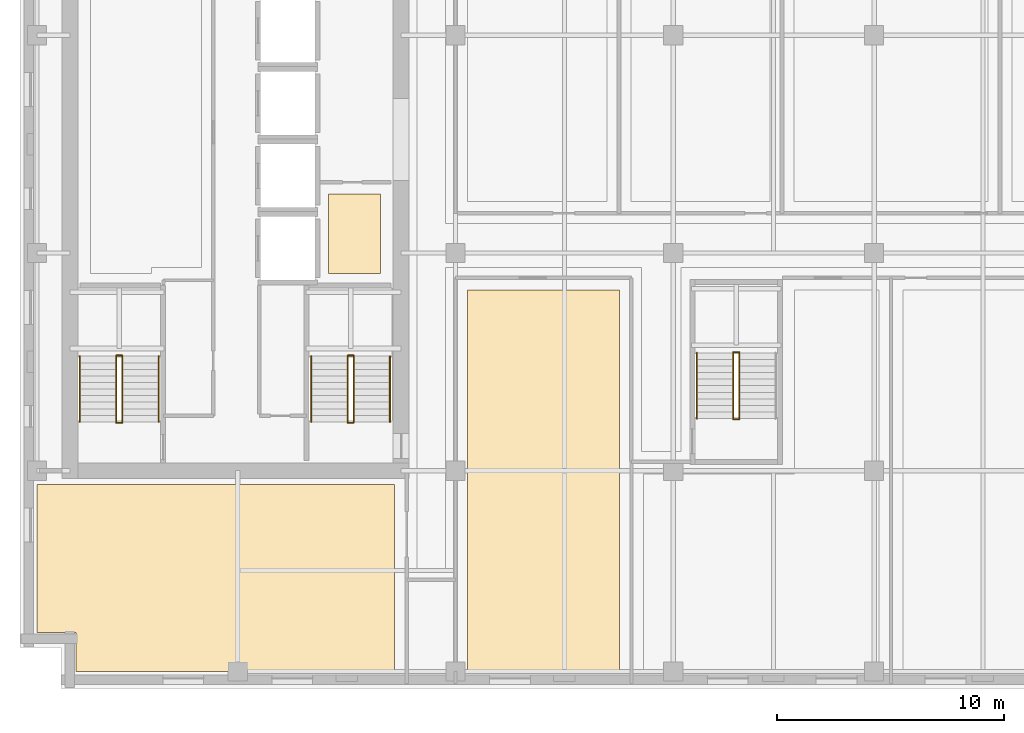
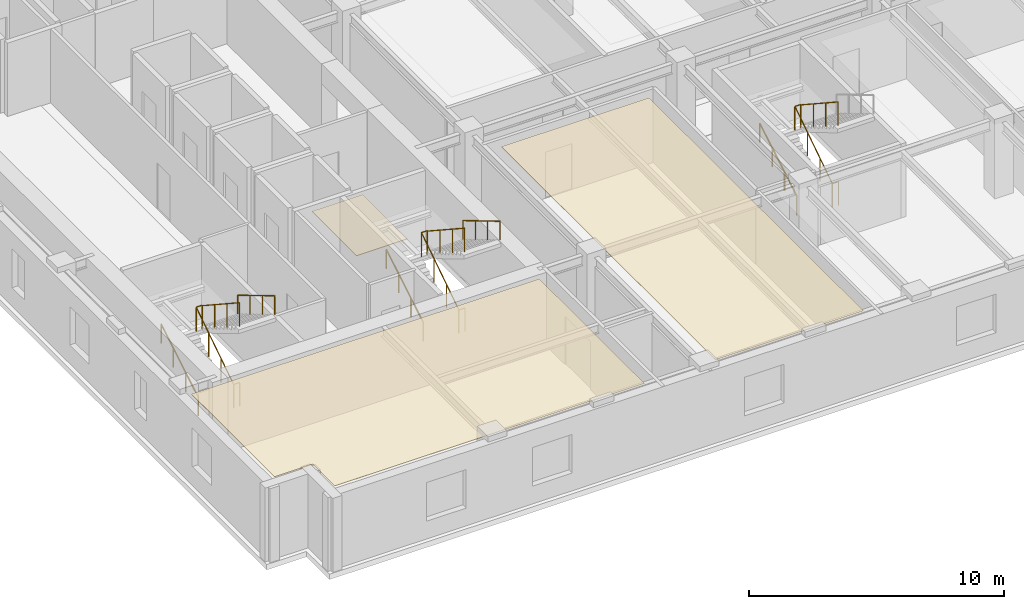
# One storey, part 8 of 11: 17 railings, 3 coverings.
"""IFC4 building model written with IfcOpenShell, lengths in metres."""

from ifc_helpers import new_model, si_unit, direction, frame, origin, origin_2d, place, context, subcontext, project, spatial, polyline, circle, outline, extrude, material, layer, layer_set, type_object, element, save


model = new_model("IFC4")

# Units and contexts
model_context = context("Model", 3, precision=1e-05, world=origin(), true_north=direction((0.0, 1.0)))
body_context = subcontext(model_context, "Body", "Model", "MODEL_VIEW")
ifc_project = project(units=[si_unit("LENGTHUNIT", "METRE"), si_unit("AREAUNIT", "SQUARE_METRE"), si_unit("VOLUMEUNIT", "CUBIC_METRE"), si_unit("PLANEANGLEUNIT", "RADIAN"), si_unit("MASSUNIT", "GRAM", prefix="KILO")], contexts=[model_context])

# Site, building, storey
site_placement = place(None, origin())
site = spatial("IfcSite", under=ifc_project, at=site_placement, CompositionType="ELEMENT")
building_placement = place(site_placement, origin())
building = spatial("IfcBuilding", under=site, at=building_placement, Name="Norrvale University Quadrangle", CompositionType="ELEMENT")
storey_placement = place(building_placement, frame((0.0, 0.0, 202.800048828125)))
storey = spatial("IfcBuildingStorey", under=building, at=storey_placement, Name="L51", CompositionType="ELEMENT", Elevation=202.800048828125)

# Coverings
ifc_material_1 = material(Name="Perforated Acoustic Mineral Ceiling")
ifc_layer_1 = layer(ifc_material_1, 0.02490234375, Name="Perforated Acoustic Mineral Ceiling")
ifc_layer_set_1 = layer_set([ifc_layer_1], Name="Perforated Acoustic Mineral Ceiling")
covering_type_1 = type_object("IfcCoveringType", Name="Covering Acoustic Ceiling 25", PredefinedType="CEILING", material=ifc_layer_set_1)
covering_1_placement = place(storey_placement, frame((0.0, 0.0, 3.514892578125)))
element("IfcCovering", 1, at=covering_1_placement, inside=storey, type_object=covering_type_1, Name="Acoustic Ceiling RM-L51-SW1", PredefinedType="CEILING", context=body_context, shape_type="SweptSolid", body=[
    extrude(outline(polyline([(0.75, 9.0), (16.5, 9.0), (16.5, 0.75), (2.469970703125, 0.75), (2.469970703125, 2.469970703125), (0.75, 2.469970703125), (0.75, 9.0)])), origin(), (0.0, 0.0, 1.0), 0.025146484375),
])
covering_2_placement = place(storey_placement, frame((0.0, 0.0, 3.514892578125)))
element("IfcCovering", 2, at=covering_2_placement, inside=storey, type_object=covering_type_1, Name="Acoustic Ceiling RM-L51-SE1", PredefinedType="CEILING", context=body_context, shape_type="SweptSolid", body=[
    extrude(outline(polyline([(19.72998046875, 17.570068359375), (26.419921875, 17.570068359375), (26.419921875, 0.75), (19.72998046875, 0.75), (19.72998046875, 17.570068359375)])), origin(), (0.0, 0.0, 1.0), 0.025146484375),
])
ifc_material_2 = material(Name="Polished Terrazzo Flooring")
ifc_layer_2 = layer(ifc_material_2, 0.02490234375, Name="Polished Terrazzo Flooring")
ifc_layer_set_2 = layer_set([ifc_layer_2], Name="Polished Terrazzo Flooring")
covering_type_2 = type_object("IfcCoveringType", Name="Covering Terrazzo Floor 30", PredefinedType="FLOORING", material=ifc_layer_set_2)
covering_3_placement = place(storey_placement, origin())
element("IfcCovering", 3, at=covering_3_placement, inside=storey, type_object=covering_type_2, Name="Terrazzo Flooring RM-L51-JAN", PredefinedType="FLOORING", context=body_context, shape_type="SweptSolid", body=[
    extrude(outline(polyline([(13.60009765625, 18.300048828125), (13.60009765625, 21.800048828125), (15.89990234375, 21.800048828125), (15.89990234375, 18.300048828125), (13.60009765625, 18.300048828125)])), origin(), (0.0, 0.0, 1.0), 0.02490234375),
])

# Railings
ifc_material_3 = material(Name="Steel 350W Painted Balustrade", Category="steel")
railing_type_1 = type_object("IfcRailingType", Name="Railing Stair Guard 1100", PredefinedType="GUARDRAIL", material=ifc_material_3)
for number, where, name in (
    (4, (4.239990234375, 11.719970703125, 0.0), "Stair Floor Well Guard ST-01 L51"),
    (5, (4.239990234375, 14.679931640625, 1.89990234375), "Stair Mid-Landing Slot Guard ST-01 L51"),
):
    element("IfcRailing", number, at=place(storey_placement, frame(where)), inside=storey, type_object=railing_type_1, Name=name, PredefinedType="GUARDRAIL", context=body_context, shape_type="SweptSolid", body=[
        extrude(circle(Radius=0.02392578125, at=origin_2d()), frame((0.0, 0.0, 1.1259765625), z_axis=(1.0, 0.0, 0.0), x_axis=(0.0, 1.0, 0.0)), (0.0, 0.0, 1.0), 0.27001953125),
        extrude(circle(Radius=0.02099609375, at=origin_2d()), origin(), (0.0, 0.0, 1.0), 1.101806640625),
        extrude(circle(Radius=0.02099609375, at=origin_2d()), frame((0.27001953125, 0.0, 0.0)), (0.0, 0.0, 1.0), 1.101806640625),
    ])
railing_1_placement = place(storey_placement, frame((4.239990234375, 11.75, 0.0)))
element("IfcRailing", 6, at=railing_1_placement, inside=storey, type_object=railing_type_1, Name="Stair Lower Flight Inner Guard ST-01 L51", PredefinedType="GUARDRAIL", context=body_context, shape_type="SweptSolid", body=[
    extrude(circle(Radius=0.02392578125, at=origin_2d()), frame((0.0, 0.0, 1.1259765625), z_axis=(0.0, 0.836465582154, 0.548019461216), x_axis=(-1.0, 0.0, 0.0)), (0.0, 0.0, 1.0), 3.466796875),
    extrude(circle(Radius=0.02099609375, at=origin_2d()), origin(), (0.0, 0.0, 1.0), 1.101806640625),
    extrude(circle(Radius=0.02099609375, at=origin_2d()), frame((0.0, 0.966552734375, 0.63330078125)), (0.0, 0.0, 1.0), 1.101806640625),
    extrude(circle(Radius=0.02099609375, at=origin_2d()), frame((0.0, 1.933349609375, 1.2666015625)), (0.0, 0.0, 1.0), 1.101806640625),
    extrude(circle(Radius=0.02099609375, at=origin_2d()), frame((0.0, 2.89990234375, 1.89990234375)), (0.0, 0.0, 1.0), 1.101806640625),
])
railing_2_placement = place(storey_placement, frame((4.510009765625, 14.64990234375, 1.89990234375)))
element("IfcRailing", 7, at=railing_2_placement, inside=storey, type_object=railing_type_1, Name="Stair Upper Flight Inner Guard ST-01 L51", PredefinedType="GUARDRAIL", context=body_context, shape_type="SweptSolid", body=[
    extrude(circle(Radius=0.02392578125, at=origin_2d()), frame((0.0, 0.0, 1.1259765625), z_axis=(0.0, -0.836433300813, 0.548068730445), x_axis=(1.0, 0.0, 0.0)), (0.0, 0.0, 1.0), 3.467041015625),
    extrude(circle(Radius=0.02099609375, at=origin_2d()), origin(), (0.0, 0.0, 1.0), 1.101806640625),
    extrude(circle(Radius=0.02099609375, at=origin_2d()), frame((0.0, -0.966552734375, 0.63330078125)), (0.0, 0.0, 1.0), 1.101806640625),
    extrude(circle(Radius=0.02099609375, at=origin_2d()), frame((0.0, -1.933349609375, 1.266845703125)), (0.0, 0.0, 1.0), 1.101806640625),
    extrude(circle(Radius=0.02099609375, at=origin_2d()), frame((0.0, -2.89990234375, 1.900146484375)), (0.0, 0.0, 1.0), 1.101806640625),
])
for number, where, name in (
    (8, (14.43994140625, 11.719970703125, 0.0), "Stair Floor Well Guard ST-03 L51"),
    (9, (14.43994140625, 14.679931640625, 1.89990234375), "Stair Mid-Landing Slot Guard ST-03 L51"),
):
    element("IfcRailing", number, at=place(storey_placement, frame(where)), inside=storey, type_object=railing_type_1, Name=name, PredefinedType="GUARDRAIL", context=body_context, shape_type="SweptSolid", body=[
        extrude(circle(Radius=0.02392578125, at=origin_2d()), frame((0.0, 0.0, 1.1259765625), z_axis=(1.0, 0.0, 0.0), x_axis=(0.0, 1.0, 0.0)), (0.0, 0.0, 1.0), 0.27001953125),
        extrude(circle(Radius=0.02099609375, at=origin_2d()), origin(), (0.0, 0.0, 1.0), 1.101806640625),
        extrude(circle(Radius=0.02099609375, at=origin_2d()), frame((0.27001953125, 0.0, 0.0)), (0.0, 0.0, 1.0), 1.101806640625),
    ])
railing_3_placement = place(storey_placement, frame((14.43994140625, 11.75, 0.0)))
element("IfcRailing", 10, at=railing_3_placement, inside=storey, type_object=railing_type_1, Name="Stair Lower Flight Inner Guard ST-03 L51", PredefinedType="GUARDRAIL", context=body_context, shape_type="SweptSolid", body=[
    extrude(circle(Radius=0.02392578125, at=origin_2d()), frame((0.0, 0.0, 1.1259765625), z_axis=(0.0, 0.836465582154, 0.548019461216), x_axis=(-1.0, 0.0, 0.0)), (0.0, 0.0, 1.0), 3.466796875),
    extrude(circle(Radius=0.02099609375, at=origin_2d()), origin(), (0.0, 0.0, 1.0), 1.101806640625),
    extrude(circle(Radius=0.02099609375, at=origin_2d()), frame((0.0, 0.966552734375, 0.63330078125)), (0.0, 0.0, 1.0), 1.101806640625),
    extrude(circle(Radius=0.02099609375, at=origin_2d()), frame((0.0, 1.933349609375, 1.2666015625)), (0.0, 0.0, 1.0), 1.101806640625),
    extrude(circle(Radius=0.02099609375, at=origin_2d()), frame((0.0, 2.89990234375, 1.89990234375)), (0.0, 0.0, 1.0), 1.101806640625),
])
railing_4_placement = place(storey_placement, frame((14.7099609375, 14.64990234375, 1.89990234375)))
element("IfcRailing", 11, at=railing_4_placement, inside=storey, type_object=railing_type_1, Name="Stair Upper Flight Inner Guard ST-03 L51", PredefinedType="GUARDRAIL", context=body_context, shape_type="SweptSolid", body=[
    extrude(circle(Radius=0.02392578125, at=origin_2d()), frame((0.0, 0.0, 1.1259765625), z_axis=(0.0, -0.836433300813, 0.548068730445), x_axis=(1.0, 0.0, 0.0)), (0.0, 0.0, 1.0), 3.467041015625),
    extrude(circle(Radius=0.02099609375, at=origin_2d()), origin(), (0.0, 0.0, 1.0), 1.101806640625),
    extrude(circle(Radius=0.02099609375, at=origin_2d()), frame((0.0, -0.966552734375, 0.63330078125)), (0.0, 0.0, 1.0), 1.101806640625),
    extrude(circle(Radius=0.02099609375, at=origin_2d()), frame((0.0, -1.933349609375, 1.266845703125)), (0.0, 0.0, 1.0), 1.101806640625),
    extrude(circle(Radius=0.02099609375, at=origin_2d()), frame((0.0, -2.89990234375, 1.900146484375)), (0.0, 0.0, 1.0), 1.101806640625),
])
for number, where, name in (
    (12, (31.43994140625, 11.8701171875, 0.0), "Stair Floor Well Guard ST-04 L51"),
    (13, (31.43994140625, 14.830078125, 1.89990234375), "Stair Mid-Landing Slot Guard ST-04 L51"),
):
    element("IfcRailing", number, at=place(storey_placement, frame(where)), inside=storey, type_object=railing_type_1, Name=name, PredefinedType="GUARDRAIL", context=body_context, shape_type="SweptSolid", body=[
        extrude(circle(Radius=0.02392578125, at=origin_2d()), frame((0.0, 0.0, 1.1259765625), z_axis=(1.0, 0.0, 0.0), x_axis=(0.0, 1.0, 0.0)), (0.0, 0.0, 1.0), 0.27001953125),
        extrude(circle(Radius=0.02099609375, at=origin_2d()), origin(), (0.0, 0.0, 1.0), 1.101806640625),
        extrude(circle(Radius=0.02099609375, at=origin_2d()), frame((0.27001953125, 0.0, 0.0)), (0.0, 0.0, 1.0), 1.101806640625),
    ])
railing_5_placement = place(storey_placement, frame((31.43994140625, 11.89990234375, 0.0)))
element("IfcRailing", 14, at=railing_5_placement, inside=storey, type_object=railing_type_1, Name="Stair Lower Flight Inner Guard ST-04 L51", PredefinedType="GUARDRAIL", context=body_context, shape_type="SweptSolid", body=[
    extrude(circle(Radius=0.02392578125, at=origin_2d()), frame((0.0, 0.0, 1.1259765625), z_axis=(0.0, 0.836486729621, 0.547987181573), x_axis=(-1.0, 0.0, 0.0)), (0.0, 0.0, 1.0), 3.467041015625),
    extrude(circle(Radius=0.02099609375, at=origin_2d()), origin(), (0.0, 0.0, 1.0), 1.101806640625),
    extrude(circle(Radius=0.02099609375, at=origin_2d()), frame((0.0, 0.966796875, 0.63330078125)), (0.0, 0.0, 1.0), 1.101806640625),
    extrude(circle(Radius=0.02099609375, at=origin_2d()), frame((0.0, 1.933349609375, 1.2666015625)), (0.0, 0.0, 1.0), 1.101806640625),
    extrude(circle(Radius=0.02099609375, at=origin_2d()), frame((0.0, 2.900146484375, 1.89990234375)), (0.0, 0.0, 1.0), 1.101806640625),
])
railing_6_placement = place(storey_placement, frame((31.7099609375, 14.800048828125, 1.89990234375)))
element("IfcRailing", 15, at=railing_6_placement, inside=storey, type_object=railing_type_1, Name="Stair Upper Flight Inner Guard ST-04 L51", PredefinedType="GUARDRAIL", context=body_context, shape_type="SweptSolid", body=[
    extrude(circle(Radius=0.02392578125, at=origin_2d()), frame((0.0, 0.0, 1.1259765625), z_axis=(0.0, -0.836454451266, 0.548036450392), x_axis=(1.0, 0.0, 0.0)), (0.0, 0.0, 1.0), 3.46728515625),
    extrude(circle(Radius=0.02099609375, at=origin_2d()), origin(), (0.0, 0.0, 1.0), 1.101806640625),
    extrude(circle(Radius=0.02099609375, at=origin_2d()), frame((0.0, -0.966796875, 0.63330078125)), (0.0, 0.0, 1.0), 1.101806640625),
    extrude(circle(Radius=0.02099609375, at=origin_2d()), frame((0.0, -1.933349609375, 1.266845703125)), (0.0, 0.0, 1.0), 1.101806640625),
    extrude(circle(Radius=0.02099609375, at=origin_2d()), frame((0.0, -2.900146484375, 1.900146484375)), (0.0, 0.0, 1.0), 1.101806640625),
])
ifc_material_4 = material(Name="Stainless Steel 316L Handrail", Category="steel")
railing_type_2 = type_object("IfcRailingType", Name="Railing Stair Handrail 920", PredefinedType="HANDRAIL", material=ifc_material_4)
railing_7_placement = place(storey_placement, frame((2.639892578125, 11.75, 0.172607421875)))
element("IfcRailing", 16, at=railing_7_placement, inside=storey, type_object=railing_type_2, Name="Stair Lower Flight Handrail ST-01 L51", PredefinedType="HANDRAIL", context=body_context, shape_type="SweptSolid", body=[
    extrude(circle(Radius=0.02392578125, at=origin_2d()), frame((0.0, 0.0, 0.89599609375), z_axis=(0.0, 0.859141464434, 0.511738159696), x_axis=(-1.0, 0.0, 0.0)), (0.0, 0.0, 1.0), 3.375244140625),
    extrude(circle(Radius=0.02099609375, at=origin_2d()), origin(), (0.0, 0.0, 1.0), 0.871826171875),
    extrude(circle(Radius=0.02099609375, at=origin_2d()), frame((0.0, 0.966552734375, 0.57568359375)), (0.0, 0.0, 1.0), 0.871826171875),
    extrude(circle(Radius=0.02099609375, at=origin_2d()), frame((0.0, 1.933349609375, 1.151611328125)), (0.0, 0.0, 1.0), 0.871826171875),
    extrude(circle(Radius=0.02099609375, at=origin_2d()), frame((0.0, 2.89990234375, 1.727294921875)), (0.0, 0.0, 1.0), 0.871826171875),
])
railing_8_placement = place(storey_placement, frame((6.110107421875, 14.64990234375, 2.07275390625)))
element("IfcRailing", 17, at=railing_8_placement, inside=storey, type_object=railing_type_2, Name="Stair Upper Flight Handrail ST-01 L51", PredefinedType="HANDRAIL", context=body_context, shape_type="SweptSolid", body=[
    extrude(circle(Radius=0.02392578125, at=origin_2d()), frame((0.0, 0.0, 0.89599609375), z_axis=(0.0, -0.859141464434, 0.511738159696), x_axis=(1.0, 0.0, 0.0)), (0.0, 0.0, 1.0), 3.375244140625),
    extrude(circle(Radius=0.02099609375, at=origin_2d()), origin(), (0.0, 0.0, 1.0), 0.871826171875),
    extrude(circle(Radius=0.02099609375, at=origin_2d()), frame((0.0, -0.966552734375, 0.57568359375)), (0.0, 0.0, 1.0), 0.871826171875),
    extrude(circle(Radius=0.02099609375, at=origin_2d()), frame((0.0, -1.933349609375, 1.151611328125)), (0.0, 0.0, 1.0), 0.871826171875),
    extrude(circle(Radius=0.02099609375, at=origin_2d()), frame((0.0, -2.89990234375, 1.727294921875)), (0.0, 0.0, 1.0), 0.871826171875),
])
railing_9_placement = place(storey_placement, frame((12.840087890625, 11.75, 0.172607421875)))
element("IfcRailing", 18, at=railing_9_placement, inside=storey, type_object=railing_type_2, Name="Stair Lower Flight Handrail ST-03 L51", PredefinedType="HANDRAIL", context=body_context, shape_type="SweptSolid", body=[
    extrude(circle(Radius=0.02392578125, at=origin_2d()), frame((0.0, 0.0, 0.89599609375), z_axis=(0.0, 0.859141464434, 0.511738159696), x_axis=(-1.0, 0.0, 0.0)), (0.0, 0.0, 1.0), 3.375244140625),
    extrude(circle(Radius=0.02099609375, at=origin_2d()), origin(), (0.0, 0.0, 1.0), 0.871826171875),
    extrude(circle(Radius=0.02099609375, at=origin_2d()), frame((0.0, 0.966552734375, 0.57568359375)), (0.0, 0.0, 1.0), 0.871826171875),
    extrude(circle(Radius=0.02099609375, at=origin_2d()), frame((0.0, 1.933349609375, 1.151611328125)), (0.0, 0.0, 1.0), 0.871826171875),
    extrude(circle(Radius=0.02099609375, at=origin_2d()), frame((0.0, 2.89990234375, 1.727294921875)), (0.0, 0.0, 1.0), 0.871826171875),
])
railing_10_placement = place(storey_placement, frame((16.31005859375, 14.64990234375, 2.07275390625)))
element("IfcRailing", 19, at=railing_10_placement, inside=storey, type_object=railing_type_2, Name="Stair Upper Flight Handrail ST-03 L51", PredefinedType="HANDRAIL", context=body_context, shape_type="SweptSolid", body=[
    extrude(circle(Radius=0.02392578125, at=origin_2d()), frame((0.0, 0.0, 0.89599609375), z_axis=(0.0, -0.859141464434, 0.511738159696), x_axis=(1.0, 0.0, 0.0)), (0.0, 0.0, 1.0), 3.375244140625),
    extrude(circle(Radius=0.02099609375, at=origin_2d()), origin(), (0.0, 0.0, 1.0), 0.871826171875),
    extrude(circle(Radius=0.02099609375, at=origin_2d()), frame((0.0, -0.966552734375, 0.57568359375)), (0.0, 0.0, 1.0), 0.871826171875),
    extrude(circle(Radius=0.02099609375, at=origin_2d()), frame((0.0, -1.933349609375, 1.151611328125)), (0.0, 0.0, 1.0), 0.871826171875),
    extrude(circle(Radius=0.02099609375, at=origin_2d()), frame((0.0, -2.89990234375, 1.727294921875)), (0.0, 0.0, 1.0), 0.871826171875),
])
railing_11_placement = place(storey_placement, frame((29.840087890625, 11.89990234375, 0.172607421875)))
element("IfcRailing", 20, at=railing_11_placement, inside=storey, type_object=railing_type_2, Name="Stair Lower Flight Handrail ST-04 L51", PredefinedType="HANDRAIL", context=body_context, shape_type="SweptSolid", body=[
    extrude(circle(Radius=0.02392578125, at=origin_2d()), frame((0.0, 0.0, 0.89599609375), z_axis=(0.0, 0.859160404282, 0.51170636083), x_axis=(-1.0, 0.0, 0.0)), (0.0, 0.0, 1.0), 3.37548828125),
    extrude(circle(Radius=0.02099609375, at=origin_2d()), origin(), (0.0, 0.0, 1.0), 0.871826171875),
    extrude(circle(Radius=0.02099609375, at=origin_2d()), frame((0.0, 0.966796875, 0.57568359375)), (0.0, 0.0, 1.0), 0.871826171875),
    extrude(circle(Radius=0.02099609375, at=origin_2d()), frame((0.0, 1.933349609375, 1.151611328125)), (0.0, 0.0, 1.0), 0.871826171875),
    extrude(circle(Radius=0.02099609375, at=origin_2d()), frame((0.0, 2.900146484375, 1.727294921875)), (0.0, 0.0, 1.0), 0.871826171875),
])

save(model, "model.ifc")
